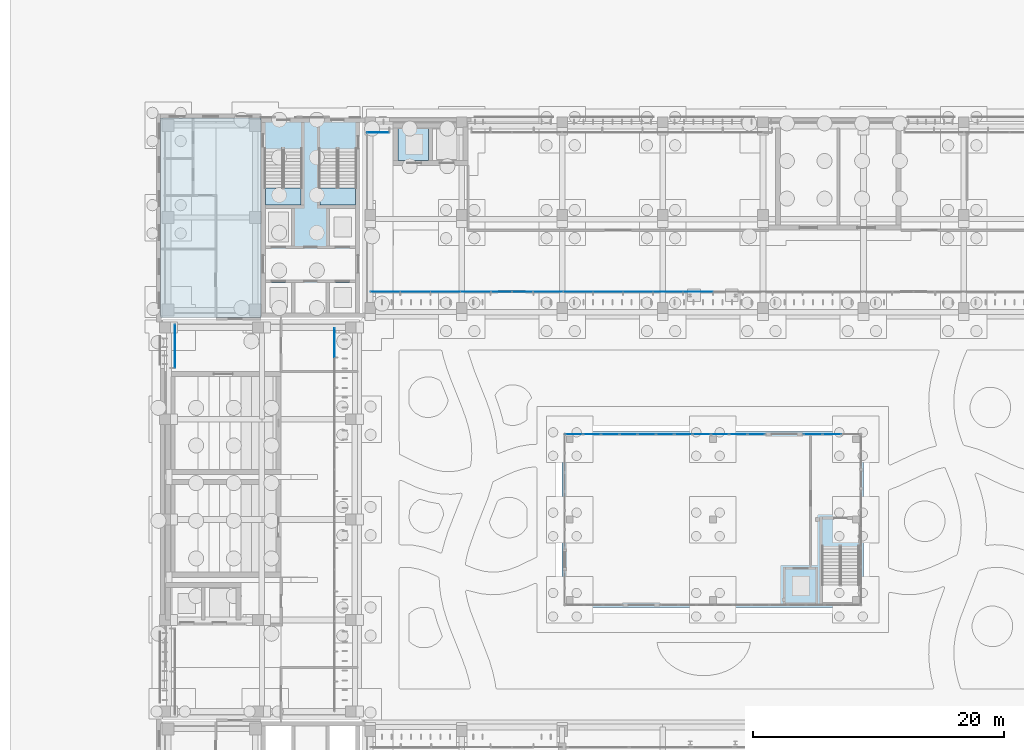
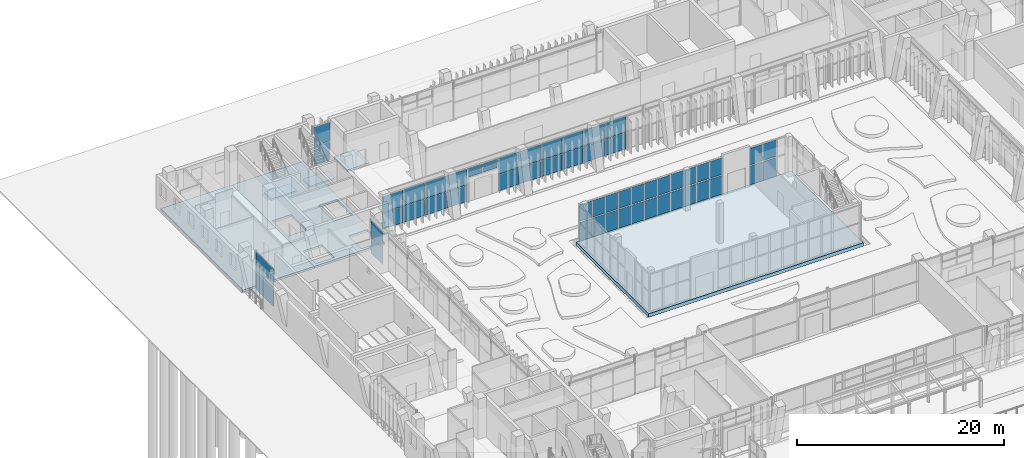
# One storey, part 97 of 144: 56 plates, 6 slabs, 10 elements without a shape of their own.
"""IFC4 building model written with IfcOpenShell, lengths in metres."""

from ifc_helpers import new_model, si_unit, direction, frame, origin, origin_2d, place, context, subcontext, project, spatial, polyline, rectangle, outline, extrude, material, layer, layer_set, type_object, element, aggregate, save


model = new_model("IFC4")

# Units and contexts
model_context = context("Model", 3, precision=1e-05, world=origin(), true_north=direction((0.0, 1.0)))
body_context = subcontext(model_context, "Body", "Model", "MODEL_VIEW")
ifc_project = project(units=[si_unit("LENGTHUNIT", "METRE"), si_unit("AREAUNIT", "SQUARE_METRE"), si_unit("VOLUMEUNIT", "CUBIC_METRE"), si_unit("PLANEANGLEUNIT", "RADIAN"), si_unit("MASSUNIT", "GRAM", prefix="KILO")], contexts=[model_context])

# Site, building, storey
site_placement = place(None, origin())
site = spatial("IfcSite", under=ifc_project, at=site_placement, CompositionType="ELEMENT")
building_placement = place(site_placement, origin())
building = spatial("IfcBuilding", under=site, at=building_placement, Name="Lantern Court Media Centre", CompositionType="ELEMENT")
storey_placement = place(building_placement, origin())
storey = spatial("IfcBuildingStorey", under=building, at=storey_placement, Name="L00", CompositionType="ELEMENT", Elevation=0.0)

# Slab
ifc_material_1 = material(Name="Concrete C40", Category="concrete")
ifc_layer_1 = layer(ifc_material_1, 0.25)
ifc_layer_set_1 = layer_set([ifc_layer_1], Name="Concrete C40")
slab_type_1 = type_object("IfcSlabType", Name="Core floor slab 250", PredefinedType="FLOOR", material=ifc_layer_set_1)
slab_1_placement = place(storey_placement, frame((0.0, 0.0, -0.25)))
element("IfcSlab", 1, at=slab_1_placement, inside=storey, type_object=slab_type_1, Name="L00 NW core ground floor", PredefinedType="FLOOR", context=body_context, shape_type="SweptSolid", body=[
    extrude(outline(polyline([(16.0, 112.0), (23.89990234375, 112.0), (23.89990234375, 96.10009765625), (16.0, 96.10009765625), (16.0, 112.0)]), holes=[polyline([(16.35009765625, 104.800048828125), (18.449951171875, 104.800048828125), (18.449951171875, 101.800048828125), (16.35009765625, 101.800048828125), (16.35009765625, 104.800048828125)]), polyline([(21.449951171875, 104.800048828125), (23.550048828125, 104.800048828125), (23.550048828125, 101.800048828125), (21.449951171875, 101.800048828125), (21.449951171875, 104.800048828125)]), polyline([(16.35009765625, 98.89990234375), (18.449951171875, 98.89990234375), (18.449951171875, 96.449951171875), (16.35009765625, 96.449951171875), (16.35009765625, 98.89990234375)]), polyline([(21.449951171875, 98.89990234375), (23.550048828125, 98.89990234375), (23.550048828125, 96.449951171875), (21.449951171875, 96.449951171875), (21.449951171875, 98.89990234375)])]), origin(), (0.0, 0.0, 1.0), 0.25),
])

# Curtain wall, plates
ifc_material_2 = material(Name="Curtain wall bay 2400")
curtain_wall_type_1 = type_object("IfcCurtainWallType", Name="Curtain wall bay 2400", PredefinedType="NOTDEFINED", material=ifc_material_2)
curtain_wall_1_placement = place(storey_placement, origin())
curtain_wall_1 = element("IfcCurtainWall", 2, at=curtain_wall_1_placement, inside=storey, type_object=curtain_wall_type_1, Name="Curtain wall N inner L00", PredefinedType="NOTDEFINED")
ifc_material_3 = material(Name="Low-iron double glazed unit glass", Category="glass")
ifc_layer_2 = layer(ifc_material_3, 0.02392578125)
ifc_layer_set_2 = layer_set([ifc_layer_2], Name="Low-iron double glazed unit glass")
plate_type_1 = type_object("IfcPlateType", Name="Curtain wall glazing unit 24", PredefinedType="CURTAIN_PANEL", material=ifc_layer_set_2)
plate_1_placement = place(storey_placement, frame((25.91259765625, 98.14990234375, 0.050048828125), z_axis=(0.0, 0.0, 1.0), x_axis=(1.0, 0.0, 0.0)))
plate_1 = element("IfcPlate", 3, at=plate_1_placement, type_object=plate_type_1, Name="CW2 panel 1.1", PredefinedType="CURTAIN_PANEL", context=body_context, shape_type="SweptSolid", body=[
    extrude(rectangle(XDim=2.324951171875, YDim=0.02392578125, at=origin_2d()), origin(), (0.0, 0.0, 1.0), 1.89990234375),
])
plate_2_placement = place(storey_placement, frame((25.91259765625, 98.14990234375, 2.0), z_axis=(0.0, 0.0, 1.0), x_axis=(1.0, 0.0, 0.0)))
plate_2 = element("IfcPlate", 4, at=plate_2_placement, type_object=plate_type_1, Name="CW2 panel 1.2", PredefinedType="CURTAIN_PANEL", context=body_context, shape_type="SweptSolid", body=[
    extrude(rectangle(XDim=2.324951171875, YDim=0.02392578125, at=origin_2d()), origin(), (0.0, 0.0, 1.0), 1.89990234375),
])
plate_3_placement = place(storey_placement, frame((28.300048828125, 98.14990234375, 0.050048828125), z_axis=(0.0, 0.0, 1.0), x_axis=(1.0, 0.0, 0.0)))
plate_3 = element("IfcPlate", 5, at=plate_3_placement, type_object=plate_type_1, Name="CW2 panel 2.1", PredefinedType="CURTAIN_PANEL", context=body_context, shape_type="SweptSolid", body=[
    extrude(rectangle(XDim=2.35009765625, YDim=0.02392578125, at=origin_2d()), origin(), (0.0, 0.0, 1.0), 1.89990234375),
])
plate_4_placement = place(storey_placement, frame((28.300048828125, 98.14990234375, 2.0), z_axis=(0.0, 0.0, 1.0), x_axis=(1.0, 0.0, 0.0)))
plate_4 = element("IfcPlate", 6, at=plate_4_placement, type_object=plate_type_1, Name="CW2 panel 2.2", PredefinedType="CURTAIN_PANEL", context=body_context, shape_type="SweptSolid", body=[
    extrude(rectangle(XDim=2.35009765625, YDim=0.02392578125, at=origin_2d()), origin(), (0.0, 0.0, 1.0), 1.89990234375),
])
plate_5_placement = place(storey_placement, frame((30.699951171875, 98.14990234375, 0.050048828125), z_axis=(0.0, 0.0, 1.0), x_axis=(1.0, 0.0, 0.0)))
plate_5 = element("IfcPlate", 7, at=plate_5_placement, type_object=plate_type_1, Name="CW2 panel 3.1", PredefinedType="CURTAIN_PANEL", context=body_context, shape_type="SweptSolid", body=[
    extrude(rectangle(XDim=2.35009765625, YDim=0.02392578125, at=origin_2d()), origin(), (0.0, 0.0, 1.0), 1.89990234375),
])
plate_6_placement = place(storey_placement, frame((30.699951171875, 98.14990234375, 2.0), z_axis=(0.0, 0.0, 1.0), x_axis=(1.0, 0.0, 0.0)))
plate_6 = element("IfcPlate", 8, at=plate_6_placement, type_object=plate_type_1, Name="CW2 panel 3.2", PredefinedType="CURTAIN_PANEL", context=body_context, shape_type="SweptSolid", body=[
    extrude(rectangle(XDim=2.35009765625, YDim=0.02392578125, at=origin_2d()), origin(), (0.0, 0.0, 1.0), 1.89990234375),
])
plate_7_placement = place(storey_placement, frame((33.08740234375, 98.14990234375, 0.050048828125), z_axis=(0.0, 0.0, 1.0), x_axis=(1.0, 0.0, 0.0)))
plate_7 = element("IfcPlate", 9, at=plate_7_placement, type_object=plate_type_1, Name="CW2 panel 4.1", PredefinedType="CURTAIN_PANEL", context=body_context, shape_type="SweptSolid", body=[
    extrude(rectangle(XDim=2.324951171875, YDim=0.02392578125, at=origin_2d()), origin(), (0.0, 0.0, 1.0), 1.89990234375),
])
plate_8_placement = place(storey_placement, frame((33.08740234375, 98.14990234375, 2.0), z_axis=(0.0, 0.0, 1.0), x_axis=(1.0, 0.0, 0.0)))
plate_8 = element("IfcPlate", 10, at=plate_8_placement, type_object=plate_type_1, Name="CW2 panel 4.2", PredefinedType="CURTAIN_PANEL", context=body_context, shape_type="SweptSolid", body=[
    extrude(rectangle(XDim=2.324951171875, YDim=0.02392578125, at=origin_2d()), origin(), (0.0, 0.0, 1.0), 1.89990234375),
])
aggregate(curtain_wall_1, [plate_1, plate_2, plate_3, plate_4, plate_5, plate_6, plate_7, plate_8])

curtain_wall_2_placement = place(storey_placement, origin())
curtain_wall_2 = element("IfcCurtainWall", 11, at=curtain_wall_2_placement, inside=storey, type_object=curtain_wall_type_1, Name="Curtain wall N inner L00", PredefinedType="NOTDEFINED")
plate_9_placement = place(storey_placement, frame((38.904052734375, 98.14990234375, 0.050048828125), z_axis=(0.0, 0.0, 1.0), x_axis=(1.0, 0.0, 0.0)))
plate_9 = element("IfcPlate", 12, at=plate_9_placement, type_object=plate_type_1, Name="CW2 panel 1.1", PredefinedType="CURTAIN_PANEL", context=body_context, shape_type="SweptSolid", body=[
    extrude(rectangle(XDim=2.308349609375, YDim=0.02392578125, at=origin_2d()), origin(), (0.0, 0.0, 1.0), 1.89990234375),
])
plate_10_placement = place(storey_placement, frame((38.904052734375, 98.14990234375, 2.0), z_axis=(0.0, 0.0, 1.0), x_axis=(1.0, 0.0, 0.0)))
plate_10 = element("IfcPlate", 13, at=plate_10_placement, type_object=plate_type_1, Name="CW2 panel 1.2", PredefinedType="CURTAIN_PANEL", context=body_context, shape_type="SweptSolid", body=[
    extrude(rectangle(XDim=2.308349609375, YDim=0.02392578125, at=origin_2d()), origin(), (0.0, 0.0, 1.0), 1.89990234375),
])
plate_11_placement = place(storey_placement, frame((41.27490234375, 98.14990234375, 0.050048828125), z_axis=(0.0, 0.0, 1.0), x_axis=(1.0, 0.0, 0.0)))
plate_11 = element("IfcPlate", 14, at=plate_11_placement, type_object=plate_type_1, Name="CW2 panel 2.1", PredefinedType="CURTAIN_PANEL", context=body_context, shape_type="SweptSolid", body=[
    extrude(rectangle(XDim=2.333251953125, YDim=0.02392578125, at=origin_2d()), origin(), (0.0, 0.0, 1.0), 1.89990234375),
])
plate_12_placement = place(storey_placement, frame((41.27490234375, 98.14990234375, 2.0), z_axis=(0.0, 0.0, 1.0), x_axis=(1.0, 0.0, 0.0)))
plate_12 = element("IfcPlate", 15, at=plate_12_placement, type_object=plate_type_1, Name="CW2 panel 2.2", PredefinedType="CURTAIN_PANEL", context=body_context, shape_type="SweptSolid", body=[
    extrude(rectangle(XDim=2.333251953125, YDim=0.02392578125, at=origin_2d()), origin(), (0.0, 0.0, 1.0), 1.89990234375),
])
plate_13_placement = place(storey_placement, frame((43.658447265625, 98.14990234375, 0.050048828125), z_axis=(0.0, 0.0, 1.0), x_axis=(1.0, 0.0, 0.0)))
plate_13 = element("IfcPlate", 16, at=plate_13_placement, type_object=plate_type_1, Name="CW2 panel 3.1", PredefinedType="CURTAIN_PANEL", context=body_context, shape_type="SweptSolid", body=[
    extrude(rectangle(XDim=2.333251953125, YDim=0.02392578125, at=origin_2d()), origin(), (0.0, 0.0, 1.0), 1.89990234375),
])
plate_14_placement = place(storey_placement, frame((43.658447265625, 98.14990234375, 2.0), z_axis=(0.0, 0.0, 1.0), x_axis=(1.0, 0.0, 0.0)))
plate_14 = element("IfcPlate", 17, at=plate_14_placement, type_object=plate_type_1, Name="CW2 panel 3.2", PredefinedType="CURTAIN_PANEL", context=body_context, shape_type="SweptSolid", body=[
    extrude(rectangle(XDim=2.333251953125, YDim=0.02392578125, at=origin_2d()), origin(), (0.0, 0.0, 1.0), 1.89990234375),
])
plate_15_placement = place(storey_placement, frame((46.041748046875, 98.14990234375, 0.050048828125), z_axis=(0.0, 0.0, 1.0), x_axis=(1.0, 0.0, 0.0)))
plate_15 = element("IfcPlate", 18, at=plate_15_placement, type_object=plate_type_1, Name="CW2 panel 4.1", PredefinedType="CURTAIN_PANEL", context=body_context, shape_type="SweptSolid", body=[
    extrude(rectangle(XDim=2.333251953125, YDim=0.02392578125, at=origin_2d()), origin(), (0.0, 0.0, 1.0), 1.89990234375),
])
plate_16_placement = place(storey_placement, frame((46.041748046875, 98.14990234375, 2.0), z_axis=(0.0, 0.0, 1.0), x_axis=(1.0, 0.0, 0.0)))
plate_16 = element("IfcPlate", 19, at=plate_16_placement, type_object=plate_type_1, Name="CW2 panel 4.2", PredefinedType="CURTAIN_PANEL", context=body_context, shape_type="SweptSolid", body=[
    extrude(rectangle(XDim=2.333251953125, YDim=0.02392578125, at=origin_2d()), origin(), (0.0, 0.0, 1.0), 1.89990234375),
])
plate_17_placement = place(storey_placement, frame((48.425048828125, 98.14990234375, 0.050048828125), z_axis=(0.0, 0.0, 1.0), x_axis=(1.0, 0.0, 0.0)))
plate_17 = element("IfcPlate", 20, at=plate_17_placement, type_object=plate_type_1, Name="CW2 panel 5.1", PredefinedType="CURTAIN_PANEL", context=body_context, shape_type="SweptSolid", body=[
    extrude(rectangle(XDim=2.333251953125, YDim=0.02392578125, at=origin_2d()), origin(), (0.0, 0.0, 1.0), 1.89990234375),
])
plate_18_placement = place(storey_placement, frame((48.425048828125, 98.14990234375, 2.0), z_axis=(0.0, 0.0, 1.0), x_axis=(1.0, 0.0, 0.0)))
plate_18 = element("IfcPlate", 21, at=plate_18_placement, type_object=plate_type_1, Name="CW2 panel 5.2", PredefinedType="CURTAIN_PANEL", context=body_context, shape_type="SweptSolid", body=[
    extrude(rectangle(XDim=2.333251953125, YDim=0.02392578125, at=origin_2d()), origin(), (0.0, 0.0, 1.0), 1.89990234375),
])
plate_19_placement = place(storey_placement, frame((50.808349609375, 98.14990234375, 0.050048828125), z_axis=(0.0, 0.0, 1.0), x_axis=(1.0, 0.0, 0.0)))
plate_19 = element("IfcPlate", 22, at=plate_19_placement, type_object=plate_type_1, Name="CW2 panel 6.1", PredefinedType="CURTAIN_PANEL", context=body_context, shape_type="SweptSolid", body=[
    extrude(rectangle(XDim=2.333251953125, YDim=0.02392578125, at=origin_2d()), origin(), (0.0, 0.0, 1.0), 1.89990234375),
])
plate_20_placement = place(storey_placement, frame((50.808349609375, 98.14990234375, 2.0), z_axis=(0.0, 0.0, 1.0), x_axis=(1.0, 0.0, 0.0)))
plate_20 = element("IfcPlate", 23, at=plate_20_placement, type_object=plate_type_1, Name="CW2 panel 6.2", PredefinedType="CURTAIN_PANEL", context=body_context, shape_type="SweptSolid", body=[
    extrude(rectangle(XDim=2.333251953125, YDim=0.02392578125, at=origin_2d()), origin(), (0.0, 0.0, 1.0), 1.89990234375),
])
aggregate(curtain_wall_2, [plate_9, plate_10, plate_11, plate_12, plate_13, plate_14, plate_15, plate_16, plate_17, plate_18, plate_19, plate_20])

curtain_wall_3_placement = place(storey_placement, origin())
curtain_wall_3 = element("IfcCurtainWall", 24, at=curtain_wall_3_placement, inside=storey, type_object=curtain_wall_type_1, Name="Curtain wall W inner L00", PredefinedType="NOTDEFINED")
plate_21_placement = place(storey_placement, frame((21.85009765625, 94.08740234375, 0.050048828125), z_axis=(0.0, 0.0, 1.0), x_axis=(0.0, 1.0, 0.0)))
plate_21 = element("IfcPlate", 25, at=plate_21_placement, type_object=plate_type_1, Name="CW2 panel 4.1", PredefinedType="CURTAIN_PANEL", context=body_context, shape_type="SweptSolid", body=[
    extrude(rectangle(XDim=2.324951171875, YDim=0.02392578125, at=origin_2d()), origin(), (0.0, 0.0, 1.0), 1.89990234375),
])
plate_22_placement = place(storey_placement, frame((21.85009765625, 94.08740234375, 2.0), z_axis=(0.0, 0.0, 1.0), x_axis=(0.0, 1.0, 0.0)))
plate_22 = element("IfcPlate", 26, at=plate_22_placement, type_object=plate_type_1, Name="CW2 panel 4.2", PredefinedType="CURTAIN_PANEL", context=body_context, shape_type="SweptSolid", body=[
    extrude(rectangle(XDim=2.324951171875, YDim=0.02392578125, at=origin_2d()), origin(), (0.0, 0.0, 1.0), 1.89990234375),
])
aggregate(curtain_wall_3, [plate_21, plate_22])

ifc_material_4 = material(Name="Curtain wall bay 3000")
curtain_wall_type_2 = type_object("IfcCurtainWallType", Name="Curtain wall bay 3000", PredefinedType="NOTDEFINED", material=ifc_material_4)
curtain_wall_4_placement = place(storey_placement, origin())
curtain_wall_4 = element("IfcCurtainWall", 27, at=curtain_wall_4_placement, inside=storey, type_object=curtain_wall_type_2, Name="Curtain wall N outer L00", PredefinedType="NOTDEFINED")
ifc_layer_3 = layer(ifc_material_3, 0.028076171875)
ifc_layer_set_3 = layer_set([ifc_layer_3], Name="Low-iron double glazed unit glass")
plate_type_2 = type_object("IfcPlateType", Name="Curtain wall glazing unit 28", PredefinedType="CURTAIN_PANEL", material=ifc_layer_set_3)
plate_23_placement = place(storey_placement, frame((25.3349609375, 110.85009765625, 0.06005859375), z_axis=(0.0, 0.0, 1.0), x_axis=(1.0, 0.0, 0.0)))
plate_23 = element("IfcPlate", 28, at=plate_23_placement, type_object=plate_type_2, Name="CW1 panel 1.1", PredefinedType="CURTAIN_PANEL", context=body_context, shape_type="SweptSolid", body=[
    extrude(rectangle(XDim=1.7099609375, YDim=0.028076171875, at=origin_2d()), origin(), (0.0, 0.0, 1.0), 2.199951171875),
])
plate_24_placement = place(storey_placement, frame((25.3349609375, 110.85009765625, 2.31982421875), z_axis=(0.0, 0.0, 1.0), x_axis=(1.0, 0.0, 0.0)))
plate_24 = element("IfcPlate", 29, at=plate_24_placement, type_object=plate_type_2, Name="CW1 panel 1.2", PredefinedType="CURTAIN_PANEL", context=body_context, shape_type="SweptSolid", body=[
    extrude(rectangle(XDim=1.7099609375, YDim=0.028076171875, at=origin_2d()), origin(), (0.0, 0.0, 1.0), 2.199951171875),
])
aggregate(curtain_wall_4, [plate_23, plate_24])

ifc_material_5 = material(Name="Curtain wall bay 1700")
curtain_wall_type_3 = type_object("IfcCurtainWallType", Name="Curtain wall bay 1700", PredefinedType="NOTDEFINED", material=ifc_material_5)
curtain_wall_5_placement = place(storey_placement, origin())
curtain_wall_5 = element("IfcCurtainWall", 30, at=curtain_wall_5_placement, inside=storey, type_object=curtain_wall_type_3, Name="Curtain wall N inner L00", PredefinedType="NOTDEFINED")
plate_25_placement = place(storey_placement, frame((35.1650390625, 98.14990234375, 2.85986328125), z_axis=(0.0, 0.0, 1.0), x_axis=(1.0, 0.0, 0.0)))
plate_25 = element("IfcPlate", 31, at=plate_25_placement, type_object=plate_type_2, Name="CW4 panel 1.1", PredefinedType="CURTAIN_PANEL", context=body_context, shape_type="SweptSolid", body=[
    extrude(rectangle(XDim=1.610107421875, YDim=0.028076171875, at=origin_2d()), origin(), (0.0, 0.0, 1.0), 0.485107421875),
])
plate_26_placement = place(storey_placement, frame((35.1650390625, 98.14990234375, 3.40478515625), z_axis=(0.0, 0.0, 1.0), x_axis=(1.0, 0.0, 0.0)))
plate_26 = element("IfcPlate", 32, at=plate_26_placement, type_object=plate_type_2, Name="CW4 panel 1.2", PredefinedType="CURTAIN_PANEL", context=body_context, shape_type="SweptSolid", body=[
    extrude(rectangle(XDim=1.610107421875, YDim=0.028076171875, at=origin_2d()), origin(), (0.0, 0.0, 1.0), 0.485107421875),
])
plate_27_placement = place(storey_placement, frame((36.8349609375, 98.14990234375, 2.85986328125), z_axis=(0.0, 0.0, 1.0), x_axis=(1.0, 0.0, 0.0)))
plate_27 = element("IfcPlate", 33, at=plate_27_placement, type_object=plate_type_2, Name="CW4 panel 2.1", PredefinedType="CURTAIN_PANEL", context=body_context, shape_type="SweptSolid", body=[
    extrude(rectangle(XDim=1.610107421875, YDim=0.028076171875, at=origin_2d()), origin(), (0.0, 0.0, 1.0), 0.485107421875),
])
plate_28_placement = place(storey_placement, frame((36.8349609375, 98.14990234375, 3.40478515625), z_axis=(0.0, 0.0, 1.0), x_axis=(1.0, 0.0, 0.0)))
plate_28 = element("IfcPlate", 34, at=plate_28_placement, type_object=plate_type_2, Name="CW4 panel 2.2", PredefinedType="CURTAIN_PANEL", context=body_context, shape_type="SweptSolid", body=[
    extrude(rectangle(XDim=1.610107421875, YDim=0.028076171875, at=origin_2d()), origin(), (0.0, 0.0, 1.0), 0.485107421875),
])
aggregate(curtain_wall_5, [plate_25, plate_26, plate_27, plate_28])

curtain_wall_6_placement = place(storey_placement, origin())
curtain_wall_6 = element("IfcCurtainWall", 35, at=curtain_wall_6_placement, inside=storey, type_object=curtain_wall_type_2, Name="Curtain wall W outer L00", PredefinedType="NOTDEFINED")
plate_29_placement = place(storey_placement, frame((9.14990234375, 93.81494140625, 0.06005859375), z_axis=(0.0, 0.0, 1.0), x_axis=(0.0, 1.0, 0.0)))
plate_29 = element("IfcPlate", 36, at=plate_29_placement, type_object=plate_type_2, Name="CW1 panel 1.1", PredefinedType="CURTAIN_PANEL", context=body_context, shape_type="SweptSolid", body=[
    extrude(rectangle(XDim=3.409912109375, YDim=0.028076171875, at=origin_2d()), origin(), (0.0, 0.0, 1.0), 2.199951171875),
])
plate_30_placement = place(storey_placement, frame((9.14990234375, 93.81494140625, 2.31982421875), z_axis=(0.0, 0.0, 1.0), x_axis=(0.0, 1.0, 0.0)))
plate_30 = element("IfcPlate", 37, at=plate_30_placement, type_object=plate_type_2, Name="CW1 panel 1.2", PredefinedType="CURTAIN_PANEL", context=body_context, shape_type="SweptSolid", body=[
    extrude(rectangle(XDim=3.409912109375, YDim=0.028076171875, at=origin_2d()), origin(), (0.0, 0.0, 1.0), 2.199951171875),
])
aggregate(curtain_wall_6, [plate_29, plate_30])

ifc_material_6 = material(Name="Aluminium and glass", Category="aluminium")
ifc_layer_4 = layer(ifc_material_6, 0.14990234375)
ifc_layer_set_4 = layer_set([ifc_layer_4], Name="Aluminium and glass")
curtain_wall_type_4 = type_object("IfcCurtainWallType", Name="Hall lancet glazing", PredefinedType="NOTDEFINED", material=ifc_layer_set_4)
curtain_wall_7_placement = place(storey_placement, origin())
curtain_wall_7 = element("IfcCurtainWall", 38, at=curtain_wall_7_placement, inside=storey, type_object=curtain_wall_type_4, Name="Press box glazing N 1", PredefinedType="NOTDEFINED")
ifc_material_7 = material(Name="Laminated glass 6+6", Category="glass")
ifc_layer_5 = layer(ifc_material_7, 0.028076171875)
ifc_layer_set_5 = layer_set([ifc_layer_5], Name="Laminated glass 6+6")
plate_type_3 = type_object("IfcPlateType", Name="HP", PredefinedType="CURTAIN_PANEL", material=ifc_layer_set_5)
plate_31_placement = place(storey_placement, frame((40.9423828125, 86.800048828125, 0.1201171875), z_axis=(0.0, 0.0, 1.0), x_axis=(1.0, 0.0, 0.0)))
plate_31 = element("IfcPlate", 39, at=plate_31_placement, type_object=plate_type_3, Name="HCW-PN1 panel 1.1", PredefinedType="CURTAIN_PANEL", context=body_context, shape_type="SweptSolid", body=[
    extrude(rectangle(XDim=1.364501953125, YDim=0.028076171875, at=origin_2d()), origin(), (0.0, 0.0, 1.0), 2.219970703125),
])
plate_32_placement = place(storey_placement, frame((40.9423828125, 86.800048828125, 2.4599609375), z_axis=(0.0, 0.0, 1.0), x_axis=(1.0, 0.0, 0.0)))
plate_32 = element("IfcPlate", 40, at=plate_32_placement, type_object=plate_type_3, Name="HCW-PN1 panel 1.2", PredefinedType="CURTAIN_PANEL", context=body_context, shape_type="SweptSolid", body=[
    extrude(rectangle(XDim=1.364501953125, YDim=0.028076171875, at=origin_2d()), origin(), (0.0, 0.0, 1.0), 1.969970703125),
])
plate_33_placement = place(storey_placement, frame((42.3818359375, 86.800048828125, 0.1201171875), z_axis=(0.0, 0.0, 1.0), x_axis=(1.0, 0.0, 0.0)))
plate_33 = element("IfcPlate", 41, at=plate_33_placement, type_object=plate_type_3, Name="HCW-PN1 panel 2.1", PredefinedType="CURTAIN_PANEL", context=body_context, shape_type="SweptSolid", body=[
    extrude(rectangle(XDim=1.39453125, YDim=0.028076171875, at=origin_2d()), origin(), (0.0, 0.0, 1.0), 2.219970703125),
])
plate_34_placement = place(storey_placement, frame((42.3818359375, 86.800048828125, 2.4599609375), z_axis=(0.0, 0.0, 1.0), x_axis=(1.0, 0.0, 0.0)))
plate_34 = element("IfcPlate", 42, at=plate_34_placement, type_object=plate_type_3, Name="HCW-PN1 panel 2.2", PredefinedType="CURTAIN_PANEL", context=body_context, shape_type="SweptSolid", body=[
    extrude(rectangle(XDim=1.39453125, YDim=0.028076171875, at=origin_2d()), origin(), (0.0, 0.0, 1.0), 1.969970703125),
])
plate_35_placement = place(storey_placement, frame((43.83642578125, 86.800048828125, 0.1201171875), z_axis=(0.0, 0.0, 1.0), x_axis=(1.0, 0.0, 0.0)))
plate_35 = element("IfcPlate", 43, at=plate_35_placement, type_object=plate_type_3, Name="HCW-PN1 panel 3.1", PredefinedType="CURTAIN_PANEL", context=body_context, shape_type="SweptSolid", body=[
    extrude(rectangle(XDim=1.39453125, YDim=0.028076171875, at=origin_2d()), origin(), (0.0, 0.0, 1.0), 2.219970703125),
])
plate_36_placement = place(storey_placement, frame((43.83642578125, 86.800048828125, 2.4599609375), z_axis=(0.0, 0.0, 1.0), x_axis=(1.0, 0.0, 0.0)))
plate_36 = element("IfcPlate", 44, at=plate_36_placement, type_object=plate_type_3, Name="HCW-PN1 panel 3.2", PredefinedType="CURTAIN_PANEL", context=body_context, shape_type="SweptSolid", body=[
    extrude(rectangle(XDim=1.39453125, YDim=0.028076171875, at=origin_2d()), origin(), (0.0, 0.0, 1.0), 1.969970703125),
])
plate_37_placement = place(storey_placement, frame((45.291015625, 86.800048828125, 0.1201171875), z_axis=(0.0, 0.0, 1.0), x_axis=(1.0, 0.0, 0.0)))
plate_37 = element("IfcPlate", 45, at=plate_37_placement, type_object=plate_type_3, Name="HCW-PN1 panel 4.1", PredefinedType="CURTAIN_PANEL", context=body_context, shape_type="SweptSolid", body=[
    extrude(rectangle(XDim=1.39453125, YDim=0.028076171875, at=origin_2d()), origin(), (0.0, 0.0, 1.0), 2.219970703125),
])
plate_38_placement = place(storey_placement, frame((45.291015625, 86.800048828125, 2.4599609375), z_axis=(0.0, 0.0, 1.0), x_axis=(1.0, 0.0, 0.0)))
plate_38 = element("IfcPlate", 46, at=plate_38_placement, type_object=plate_type_3, Name="HCW-PN1 panel 4.2", PredefinedType="CURTAIN_PANEL", context=body_context, shape_type="SweptSolid", body=[
    extrude(rectangle(XDim=1.39453125, YDim=0.028076171875, at=origin_2d()), origin(), (0.0, 0.0, 1.0), 1.969970703125),
])
plate_39_placement = place(storey_placement, frame((46.745361328125, 86.800048828125, 0.1201171875), z_axis=(0.0, 0.0, 1.0), x_axis=(1.0, 0.0, 0.0)))
plate_39 = element("IfcPlate", 47, at=plate_39_placement, type_object=plate_type_3, Name="HCW-PN1 panel 5.1", PredefinedType="CURTAIN_PANEL", context=body_context, shape_type="SweptSolid", body=[
    extrude(rectangle(XDim=1.39453125, YDim=0.028076171875, at=origin_2d()), origin(), (0.0, 0.0, 1.0), 2.219970703125),
])
plate_40_placement = place(storey_placement, frame((46.745361328125, 86.800048828125, 2.4599609375), z_axis=(0.0, 0.0, 1.0), x_axis=(1.0, 0.0, 0.0)))
plate_40 = element("IfcPlate", 48, at=plate_40_placement, type_object=plate_type_3, Name="HCW-PN1 panel 5.2", PredefinedType="CURTAIN_PANEL", context=body_context, shape_type="SweptSolid", body=[
    extrude(rectangle(XDim=1.39453125, YDim=0.028076171875, at=origin_2d()), origin(), (0.0, 0.0, 1.0), 1.969970703125),
])
plate_41_placement = place(storey_placement, frame((48.199951171875, 86.800048828125, 0.1201171875), z_axis=(0.0, 0.0, 1.0), x_axis=(1.0, 0.0, 0.0)))
plate_41 = element("IfcPlate", 49, at=plate_41_placement, type_object=plate_type_3, Name="HCW-PN1 panel 6.1", PredefinedType="CURTAIN_PANEL", context=body_context, shape_type="SweptSolid", body=[
    extrude(rectangle(XDim=1.39453125, YDim=0.028076171875, at=origin_2d()), origin(), (0.0, 0.0, 1.0), 2.219970703125),
])
plate_42_placement = place(storey_placement, frame((48.199951171875, 86.800048828125, 2.4599609375), z_axis=(0.0, 0.0, 1.0), x_axis=(1.0, 0.0, 0.0)))
plate_42 = element("IfcPlate", 50, at=plate_42_placement, type_object=plate_type_3, Name="HCW-PN1 panel 6.2", PredefinedType="CURTAIN_PANEL", context=body_context, shape_type="SweptSolid", body=[
    extrude(rectangle(XDim=1.39453125, YDim=0.028076171875, at=origin_2d()), origin(), (0.0, 0.0, 1.0), 1.969970703125),
])
plate_43_placement = place(storey_placement, frame((49.654541015625, 86.800048828125, 0.1201171875), z_axis=(0.0, 0.0, 1.0), x_axis=(1.0, 0.0, 0.0)))
plate_43 = element("IfcPlate", 51, at=plate_43_placement, type_object=plate_type_3, Name="HCW-PN1 panel 7.1", PredefinedType="CURTAIN_PANEL", context=body_context, shape_type="SweptSolid", body=[
    extrude(rectangle(XDim=1.39453125, YDim=0.028076171875, at=origin_2d()), origin(), (0.0, 0.0, 1.0), 2.219970703125),
])
plate_44_placement = place(storey_placement, frame((49.654541015625, 86.800048828125, 2.4599609375), z_axis=(0.0, 0.0, 1.0), x_axis=(1.0, 0.0, 0.0)))
plate_44 = element("IfcPlate", 52, at=plate_44_placement, type_object=plate_type_3, Name="HCW-PN1 panel 7.2", PredefinedType="CURTAIN_PANEL", context=body_context, shape_type="SweptSolid", body=[
    extrude(rectangle(XDim=1.39453125, YDim=0.028076171875, at=origin_2d()), origin(), (0.0, 0.0, 1.0), 1.969970703125),
])
plate_45_placement = place(storey_placement, frame((51.109130859375, 86.800048828125, 0.1201171875), z_axis=(0.0, 0.0, 1.0), x_axis=(1.0, 0.0, 0.0)))
plate_45 = element("IfcPlate", 53, at=plate_45_placement, type_object=plate_type_3, Name="HCW-PN1 panel 8.1", PredefinedType="CURTAIN_PANEL", context=body_context, shape_type="SweptSolid", body=[
    extrude(rectangle(XDim=1.39453125, YDim=0.028076171875, at=origin_2d()), origin(), (0.0, 0.0, 1.0), 2.219970703125),
])
plate_46_placement = place(storey_placement, frame((51.109130859375, 86.800048828125, 2.4599609375), z_axis=(0.0, 0.0, 1.0), x_axis=(1.0, 0.0, 0.0)))
plate_46 = element("IfcPlate", 54, at=plate_46_placement, type_object=plate_type_3, Name="HCW-PN1 panel 8.2", PredefinedType="CURTAIN_PANEL", context=body_context, shape_type="SweptSolid", body=[
    extrude(rectangle(XDim=1.39453125, YDim=0.028076171875, at=origin_2d()), origin(), (0.0, 0.0, 1.0), 1.969970703125),
])
plate_47_placement = place(storey_placement, frame((52.563720703125, 86.800048828125, 0.1201171875), z_axis=(0.0, 0.0, 1.0), x_axis=(1.0, 0.0, 0.0)))
plate_47 = element("IfcPlate", 55, at=plate_47_placement, type_object=plate_type_3, Name="HCW-PN1 panel 9.1", PredefinedType="CURTAIN_PANEL", context=body_context, shape_type="SweptSolid", body=[
    extrude(rectangle(XDim=1.39453125, YDim=0.028076171875, at=origin_2d()), origin(), (0.0, 0.0, 1.0), 2.219970703125),
])
plate_48_placement = place(storey_placement, frame((52.563720703125, 86.800048828125, 2.4599609375), z_axis=(0.0, 0.0, 1.0), x_axis=(1.0, 0.0, 0.0)))
plate_48 = element("IfcPlate", 56, at=plate_48_placement, type_object=plate_type_3, Name="HCW-PN1 panel 9.2", PredefinedType="CURTAIN_PANEL", context=body_context, shape_type="SweptSolid", body=[
    extrude(rectangle(XDim=1.39453125, YDim=0.028076171875, at=origin_2d()), origin(), (0.0, 0.0, 1.0), 1.969970703125),
])
plate_49_placement = place(storey_placement, frame((54.01806640625, 86.800048828125, 0.1201171875), z_axis=(0.0, 0.0, 1.0), x_axis=(1.0, 0.0, 0.0)))
plate_49 = element("IfcPlate", 57, at=plate_49_placement, type_object=plate_type_3, Name="HCW-PN1 panel 10.1", PredefinedType="CURTAIN_PANEL", context=body_context, shape_type="SweptSolid", body=[
    extrude(rectangle(XDim=1.39453125, YDim=0.028076171875, at=origin_2d()), origin(), (0.0, 0.0, 1.0), 2.219970703125),
])
plate_50_placement = place(storey_placement, frame((54.01806640625, 86.800048828125, 2.4599609375), z_axis=(0.0, 0.0, 1.0), x_axis=(1.0, 0.0, 0.0)))
plate_50 = element("IfcPlate", 58, at=plate_50_placement, type_object=plate_type_3, Name="HCW-PN1 panel 10.2", PredefinedType="CURTAIN_PANEL", context=body_context, shape_type="SweptSolid", body=[
    extrude(rectangle(XDim=1.39453125, YDim=0.028076171875, at=origin_2d()), origin(), (0.0, 0.0, 1.0), 1.969970703125),
])
plate_51_placement = place(storey_placement, frame((55.457763671875, 86.800048828125, 0.1201171875), z_axis=(0.0, 0.0, 1.0), x_axis=(1.0, 0.0, 0.0)))
plate_51 = element("IfcPlate", 59, at=plate_51_placement, type_object=plate_type_3, Name="HCW-PN1 panel 11.1", PredefinedType="CURTAIN_PANEL", context=body_context, shape_type="SweptSolid", body=[
    extrude(rectangle(XDim=1.364501953125, YDim=0.028076171875, at=origin_2d()), origin(), (0.0, 0.0, 1.0), 2.219970703125),
])
plate_52_placement = place(storey_placement, frame((55.457763671875, 86.800048828125, 2.4599609375), z_axis=(0.0, 0.0, 1.0), x_axis=(1.0, 0.0, 0.0)))
plate_52 = element("IfcPlate", 60, at=plate_52_placement, type_object=plate_type_3, Name="HCW-PN1 panel 11.2", PredefinedType="CURTAIN_PANEL", context=body_context, shape_type="SweptSolid", body=[
    extrude(rectangle(XDim=1.364501953125, YDim=0.028076171875, at=origin_2d()), origin(), (0.0, 0.0, 1.0), 1.969970703125),
])
aggregate(curtain_wall_7, [plate_31, plate_32, plate_33, plate_34, plate_35, plate_36, plate_37, plate_38, plate_39, plate_40, plate_41, plate_42, plate_43, plate_44, plate_45, plate_46, plate_47, plate_48, plate_49, plate_50, plate_51, plate_52])

curtain_wall_8_placement = place(storey_placement, origin())
curtain_wall_8 = element("IfcCurtainWall", 61, at=curtain_wall_8_placement, inside=storey, type_object=curtain_wall_type_4, Name="Press box glazing N 2", PredefinedType="NOTDEFINED")
plate_53_placement = place(storey_placement, frame((59.981689453125, 86.800048828125, 0.1201171875), z_axis=(0.0, 0.0, 1.0), x_axis=(1.0, 0.0, 0.0)))
plate_53 = element("IfcPlate", 62, at=plate_53_placement, type_object=plate_type_3, Name="HCW-PN2 panel 1.1", PredefinedType="CURTAIN_PANEL", context=body_context, shape_type="SweptSolid", body=[
    extrude(rectangle(XDim=1.443359375, YDim=0.028076171875, at=origin_2d()), origin(), (0.0, 0.0, 1.0), 2.219970703125),
])
plate_54_placement = place(storey_placement, frame((59.981689453125, 86.800048828125, 2.4599609375), z_axis=(0.0, 0.0, 1.0), x_axis=(1.0, 0.0, 0.0)))
plate_54 = element("IfcPlate", 63, at=plate_54_placement, type_object=plate_type_3, Name="HCW-PN2 panel 1.2", PredefinedType="CURTAIN_PANEL", context=body_context, shape_type="SweptSolid", body=[
    extrude(rectangle(XDim=1.443359375, YDim=0.028076171875, at=origin_2d()), origin(), (0.0, 0.0, 1.0), 1.969970703125),
])
plate_55_placement = place(storey_placement, frame((61.5, 86.800048828125, 0.1201171875), z_axis=(0.0, 0.0, 1.0), x_axis=(1.0, 0.0, 0.0)))
plate_55 = element("IfcPlate", 64, at=plate_55_placement, type_object=plate_type_3, Name="HCW-PN2 panel 2.1", PredefinedType="CURTAIN_PANEL", context=body_context, shape_type="SweptSolid", body=[
    extrude(rectangle(XDim=1.473388671875, YDim=0.028076171875, at=origin_2d()), origin(), (0.0, 0.0, 1.0), 2.219970703125),
])
plate_56_placement = place(storey_placement, frame((61.5, 86.800048828125, 2.4599609375), z_axis=(0.0, 0.0, 1.0), x_axis=(1.0, 0.0, 0.0)))
plate_56 = element("IfcPlate", 65, at=plate_56_placement, type_object=plate_type_3, Name="HCW-PN2 panel 2.2", PredefinedType="CURTAIN_PANEL", context=body_context, shape_type="SweptSolid", body=[
    extrude(rectangle(XDim=1.473388671875, YDim=0.028076171875, at=origin_2d()), origin(), (0.0, 0.0, 1.0), 1.969970703125),
])
aggregate(curtain_wall_8, [plate_53, plate_54, plate_55, plate_56])

# Slabs
ifc_material_8 = material(Name="Concrete C35", Category="concrete")
ifc_layer_6 = layer(ifc_material_8, 0.419921875)
ifc_layer_set_6 = layer_set([ifc_layer_6], Name="Concrete C35")
slab_type_2 = type_object("IfcSlabType", Name="RC FLOOR SLAB 420", PredefinedType="FLOOR", material=ifc_layer_set_6)
slab_2_placement = place(storey_placement, frame((0.0, 0.0, -0.419921875)))
element("IfcSlab", 66, at=slab_2_placement, inside=storey, type_object=slab_type_2, Name="SL-PRESS-L00", PredefinedType="FLOOR", context=body_context, shape_type="SweptSolid", body=[
    extrude(outline(polyline([(64.0, 73.0), (64.0, 87.0), (40.0, 87.0), (40.0, 73.0), (64.0, 73.0)])), origin(), (0.0, 0.0, 1.0), 0.419921875),
])
ifc_layer_7 = layer(ifc_material_8, 0.25)
ifc_layer_set_7 = layer_set([ifc_layer_7], Name="Concrete C35")
slab_type_3 = type_object("IfcSlabType", Name="RC GROUND SLAB 250", PredefinedType="BASESLAB", material=ifc_layer_set_7)
slab_3_placement = place(storey_placement, frame((0.0, 0.0, -0.25)))
element("IfcSlab", 67, at=slab_3_placement, inside=storey, type_object=slab_type_3, Name="SL-NW-L00", PredefinedType="BASESLAB", context=body_context, shape_type="SweptSolid", body=[
    extrude(outline(polyline([(8.0, 112.0), (16.0, 112.0), (16.0, 111.64990234375), (16.0, 96.449951171875), (16.0, 96.10009765625), (8.0, 96.10009765625), (8.0, 112.0)])), origin(), (0.0, 0.0, 1.0), 0.25),
])
slab_4_placement = place(storey_placement, frame((0.0, 0.0, -0.25)))
element("IfcSlab", 68, at=slab_4_placement, inside=storey, type_object=slab_type_3, Name="SL-N-L00-4", PredefinedType="BASESLAB", context=body_context, shape_type="SweptSolid", body=[
    extrude(outline(polyline([(29.35009765625, 111.199951171875), (29.35009765625, 108.60009765625), (26.89990234375, 108.60009765625), (26.89990234375, 111.199951171875), (29.35009765625, 111.199951171875)])), origin(), (0.0, 0.0, 1.0), 0.25),
])

# Stair, slab
stair_type = type_object("IfcStairType", Name="Exit stair 1350", PredefinedType="HALF_TURN_STAIR", material=ifc_material_1)
stair_1_placement = place(storey_placement, origin())
stair_1 = element("IfcStair", 69, at=stair_1_placement, inside=storey, type_object=stair_type, Name="L00 NW exit stair A", PredefinedType="HALF_TURN_STAIR")
ifc_layer_8 = layer(ifc_material_1, 0.199951171875)
ifc_layer_set_8 = layer_set([ifc_layer_8], Name="Concrete C40")
slab_type_4 = type_object("IfcSlabType", Name="Stair landing RC 200", PredefinedType="LANDING", material=ifc_layer_set_8)
slab_5_placement = place(storey_placement, frame((0.0, 0.0, 2.199951171875)))
slab_5 = element("IfcSlab", 70, at=slab_5_placement, type_object=slab_type_4, Name="ST-NWA landing 1", PredefinedType="LANDING", context=body_context, shape_type="SweptSolid", body=[
    extrude(outline(polyline([(16.35009765625, 106.429931640625), (16.35009765625, 105.050048828125), (19.199951171875, 105.050048828125), (19.199951171875, 106.429931640625), (16.35009765625, 106.429931640625)])), origin(), (0.0, 0.0, 1.0), 0.199951171875),
])
aggregate(stair_1, [slab_5])

stair_2_placement = place(storey_placement, origin())
stair_2 = element("IfcStair", 71, at=stair_2_placement, inside=storey, type_object=stair_type, Name="L00 NW exit stair B", PredefinedType="HALF_TURN_STAIR")
slab_6_placement = place(storey_placement, frame((0.0, 0.0, 2.199951171875)))
slab_6 = element("IfcSlab", 72, at=slab_6_placement, type_object=slab_type_4, Name="ST-NWB landing 1", PredefinedType="LANDING", context=body_context, shape_type="SweptSolid", body=[
    extrude(outline(polyline([(20.699951171875, 106.429931640625), (20.699951171875, 105.050048828125), (23.550048828125, 105.050048828125), (23.550048828125, 106.429931640625), (20.699951171875, 106.429931640625)])), origin(), (0.0, 0.0, 1.0), 0.199951171875),
])
aggregate(stair_2, [slab_6])

save(model, "model.ifc")
